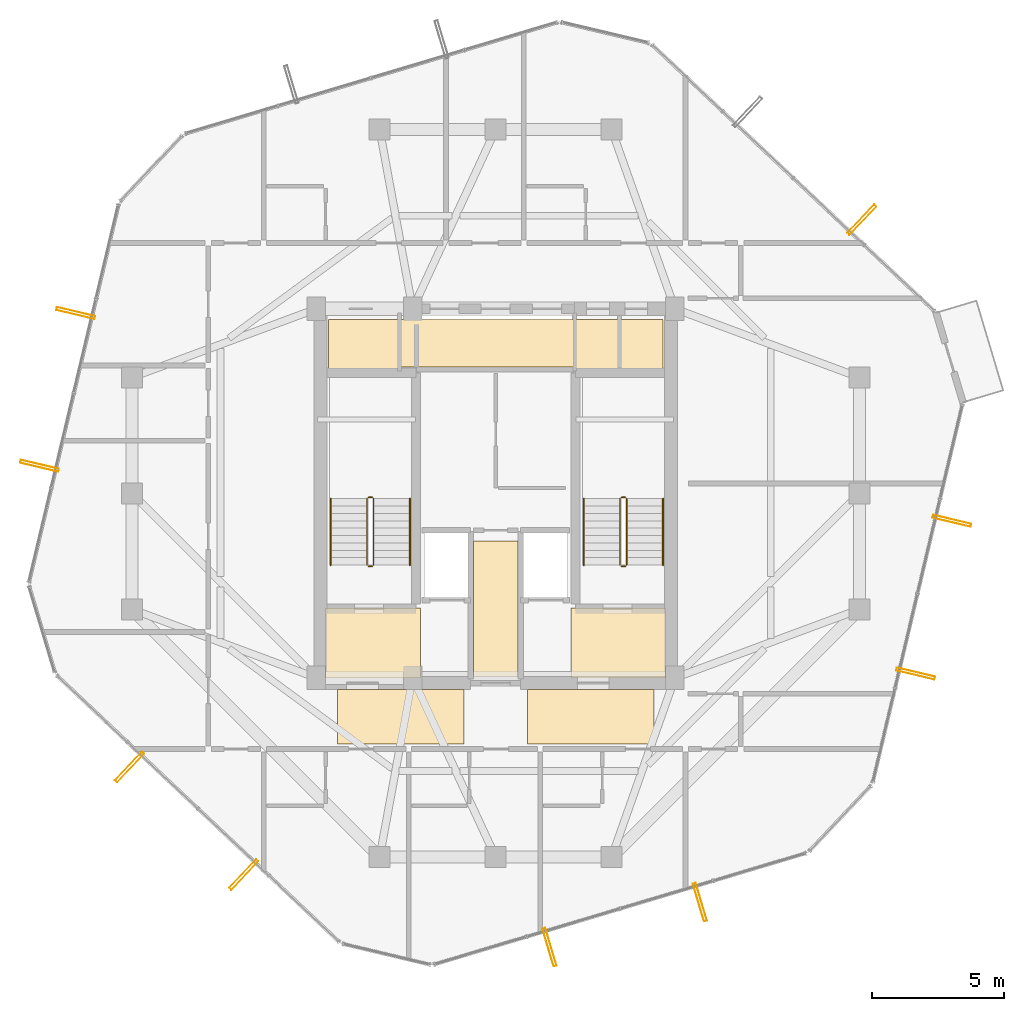
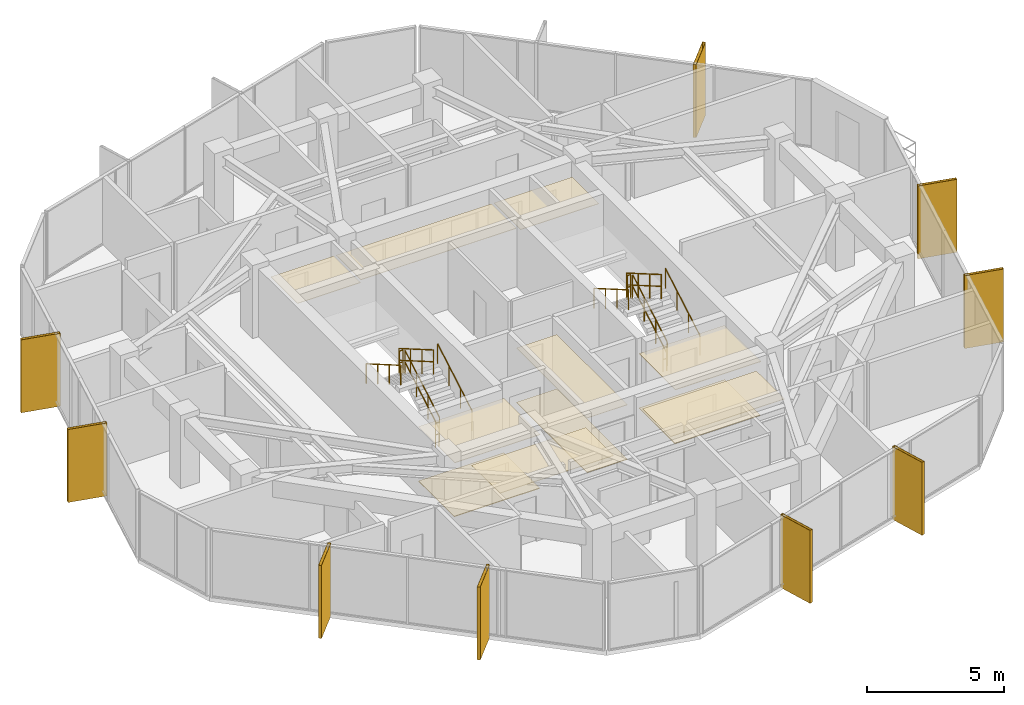
# One storey, part 27 of 28: 12 railings, 11 coverings, 9 shading devices.
"""IFC4 building model written with IfcOpenShell, lengths in metres."""

from ifc_helpers import new_model, si_unit, direction, frame, origin, origin_2d, place, context, subcontext, project, spatial, polyline, hollow_rectangle, circle, outline, extrude, material, layer, layer_set, material_profile, profile_set, type_object, element, save


model = new_model("IFC4")

# Units and contexts
model_context = context("Model", 3, precision=1e-05, world=origin(), true_north=direction((0.0, 1.0)))
body_context = subcontext(model_context, "Body", "Model", "MODEL_VIEW")
ifc_project = project(units=[si_unit("LENGTHUNIT", "METRE"), si_unit("AREAUNIT", "SQUARE_METRE"), si_unit("VOLUMEUNIT", "CUBIC_METRE"), si_unit("PLANEANGLEUNIT", "RADIAN"), si_unit("MASSUNIT", "GRAM", prefix="KILO")], contexts=[model_context])

# Site, building, storey
site_placement = place(None, origin())
site = spatial("IfcSite", under=ifc_project, at=site_placement, CompositionType="ELEMENT")
building_placement = place(site_placement, origin())
building = spatial("IfcBuilding", under=site, at=building_placement, Name="Veraguas Prism Commons", CompositionType="ELEMENT")
storey_placement = place(building_placement, frame((0.0, 0.0, 254.5)))
storey = spatial("IfcBuildingStorey", under=building, at=storey_placement, Name="L72", CompositionType="ELEMENT", Elevation=254.5)

# Shading devices
ifc_material_1 = material(Name="Anodised aluminium EN AW-6063 T6", Category="aluminium")
ifc_material_profile = material_profile(ifc_material_1, hollow_rectangle(XDim=0.1201171875, YDim=1.489990234375, WallThickness=0.006103515625, at=origin_2d()), Name="FIN120X1490X6")
ifc_profile_set = profile_set([ifc_material_profile], Name="Anodised aluminium EN AW-6063 T6")
shading_device_type = type_object("IfcShadingDeviceType", Name="Deep Pale-Metal Vertical Solar Fin 120x1490", PredefinedType="USERDEFINED", material=ifc_profile_set)
for number, where, z_axis, x_axis, name in (
    (1, (37.887451171875, 34.37841796875, -0.215087890625), (0.0, 0.0, 1.0), (-0.727291393074, 0.68632880572, 0.0), "Vertical Pale-Metal Solar Fin L72-F1A"),
    (2, (8.068359375, 30.837646484375, -0.215087890625), (0.0, 0.0, 1.0), (-0.2307341828, -0.97301682251, 0.0), "Vertical Pale-Metal Solar Fin L72-F3A"),
    (3, (6.6943359375, 25.043701171875, -0.215087890625), (0.0, 0.0, 1.0), (-0.2307341828, -0.97301682251, 0.0), "Vertical Pale-Metal Solar Fin L72-F3B"),
    (4, (10.112548828125, 13.62158203125, -0.215087890625), (0.0, 0.0, 1.0), (0.727291393074, -0.68632880572, 0.0), "Vertical Pale-Metal Solar Fin L72-F4A"),
    (5, (14.443115234375, 9.534912109375, -0.215087890625), (0.0, 0.0, 1.0), (0.727291393074, -0.68632880572, 0.0), "Vertical Pale-Metal Solar Fin L72-F4B"),
    (6, (26.044189453125, 6.783935546875, -0.215087890625), (0.0, 0.0, 1.0), (0.958022876902, 0.286691763629, 0.0), "Vertical Pale-Metal Solar Fin L72-F5A"),
    (7, (31.748779296875, 8.490966796875, -0.215087890625), (0.0, 0.0, 1.0), (0.958022876902, 0.286691763629, 0.0), "Vertical Pale-Metal Solar Fin L72-F5B"),
    (8, (39.931640625, 17.162353515625, -0.215087890625), (0.0, 0.0, 1.0), (0.2307341828, 0.97301682251, 0.0), "Vertical Pale-Metal Solar Fin L72-F6A"),
    (9, (41.3056640625, 22.956298828125, -0.215087890625), (0.0, 0.0, 1.0), (0.2307341828, 0.97301682251, 0.0), "Vertical Pale-Metal Solar Fin L72-F6B"),
):
    element("IfcShadingDevice", number, at=place(storey_placement, frame(where, z_axis=z_axis, x_axis=x_axis)), inside=storey, type_object=shading_device_type, Name=name, ObjectType="FIN", PredefinedType="USERDEFINED", context=body_context, shape_type="SweptSolid", body=[
        extrude(hollow_rectangle(XDim=0.1201171875, YDim=1.489990234375, WallThickness=0.006103515625, at=origin_2d()), origin(), (0.0, 0.0, 1.0), 3.25),
    ])

# Coverings
ifc_material_2 = material(Name="Acoustic gypsum board")
ifc_layer_1 = layer(ifc_material_2, 0.02490234375, Name="Perforated Acoustic Ceiling Tile 25")
ifc_layer_set_1 = layer_set([ifc_layer_1], Name="Acoustic gypsum board")
covering_type_1 = type_object("IfcCoveringType", Name="Perforated Acoustic Ceiling Tile 25", PredefinedType="USERDEFINED", material=ifc_layer_set_1)
covering_1_placement = place(storey_placement, frame((0.0, 0.0, 2.425048828125)))
element("IfcCovering", 10, at=covering_1_placement, inside=storey, type_object=covering_type_1, Name="East Lobby Acoustic Ceiling L72", ObjectType="ACOUSTIC CEILING", PredefinedType="USERDEFINED", context=body_context, shape_type="SweptSolid", body=[
    extrude(outline(polyline([(26.85009765625, 17.0), (30.449951171875, 17.0), (30.449951171875, 19.64990234375), (26.85009765625, 19.64990234375), (26.85009765625, 17.0)])), origin(), (0.0, 0.0, 1.0), 0.02490234375),
])
ifc_material_3 = material(Name="Terrazzo stone finish", Category="masonry")
ifc_layer_2 = layer(ifc_material_3, 0.030029296875, Name="Polished Terrazzo Floor Finish 30", Category="masonry")
ifc_layer_set_2 = layer_set([ifc_layer_2], Name="Terrazzo stone finish")
covering_type_2 = type_object("IfcCoveringType", Name="Polished Terrazzo Floor Finish 30", PredefinedType="FLOORING", material=ifc_layer_set_2)
covering_2_placement = place(storey_placement, origin())
element("IfcCovering", 11, at=covering_2_placement, inside=storey, type_object=covering_type_2, Name="Terrazzo Lobby Flooring L72", PredefinedType="FLOORING", context=body_context, shape_type="SweptSolid", body=[
    extrude(outline(polyline([(23.14990234375, 17.050048828125), (24.85009765625, 17.050048828125), (24.85009765625, 22.199951171875), (23.14990234375, 22.199951171875), (23.14990234375, 17.050048828125)])), origin(), (0.0, 0.0, 1.0), 0.030029296875),
])
covering_3_placement = place(storey_placement, origin())
element("IfcCovering", 12, at=covering_3_placement, inside=storey, type_object=covering_type_2, Name="West FF Lobby Terrazzo Flooring L72", PredefinedType="FLOORING", context=body_context, shape_type="SweptSolid", body=[
    extrude(outline(polyline([(17.550048828125, 17.050048828125), (21.14990234375, 17.050048828125), (21.14990234375, 19.64990234375), (17.550048828125, 19.64990234375), (17.550048828125, 17.050048828125)])), origin(), (0.0, 0.0, 1.0), 0.030029296875),
])
covering_4_placement = place(storey_placement, origin())
element("IfcCovering", 13, at=covering_4_placement, inside=storey, type_object=covering_type_2, Name="East FF Lobby Terrazzo Flooring L72", PredefinedType="FLOORING", context=body_context, shape_type="SweptSolid", body=[
    extrude(outline(polyline([(26.85009765625, 17.050048828125), (30.449951171875, 17.050048828125), (30.449951171875, 19.64990234375), (26.85009765625, 19.64990234375), (26.85009765625, 17.050048828125)])), origin(), (0.0, 0.0, 1.0), 0.030029296875),
])

# Railings
ifc_material_4 = material(Name="Stainless steel AISI 316", Category="steel")
railing_type_1 = type_object("IfcRailingType", Name="Stair and Ramp Stainless Handrail 900", PredefinedType="HANDRAIL", material=ifc_material_4)
railing_1_placement = place(storey_placement, frame((20.75, 21.280029296875, 0.16259765625)))
element("IfcRailing", 14, at=railing_1_placement, inside=storey, type_object=railing_type_1, Name="Stair Handrail ST-01 L72-1", PredefinedType="HANDRAIL", context=body_context, shape_type="SweptSolid", body=[
    extrude(circle(Radius=0.02392578125, at=origin_2d()), frame((0.0, 0.0, 0.8759765625), z_axis=(0.0, 0.864913338283, 0.50192122615), x_axis=(-1.0, 0.0, 0.0)), (0.0, 0.0, 1.0), 2.91357421875),
    extrude(circle(Radius=0.02099609375, at=origin_2d()), origin(), (0.0, 0.0, 1.0), 0.851806640625),
    extrude(circle(Radius=0.02099609375, at=origin_2d()), frame((0.0, 0.840087890625, 0.487548828125)), (0.0, 0.0, 1.0), 0.851806640625),
    extrude(circle(Radius=0.02099609375, at=origin_2d()), frame((0.0, 1.679931640625, 0.974853515625)), (0.0, 0.0, 1.0), 0.851806640625),
    extrude(circle(Radius=0.02099609375, at=origin_2d()), frame((0.0, 2.52001953125, 1.46240234375)), (0.0, 0.0, 1.0), 0.851806640625),
])
railing_2_placement = place(storey_placement, frame((17.739990234375, 23.800048828125, 1.78759765625)))
element("IfcRailing", 15, at=railing_2_placement, inside=storey, type_object=railing_type_1, Name="Stair Handrail ST-01 L72-2", PredefinedType="HANDRAIL", context=body_context, shape_type="SweptSolid", body=[
    extrude(circle(Radius=0.02392578125, at=origin_2d()), frame((0.0, 0.0, 0.8759765625), z_axis=(0.0, -0.864913338283, 0.50192122615), x_axis=(1.0, 0.0, 0.0)), (0.0, 0.0, 1.0), 2.91357421875),
    extrude(circle(Radius=0.02099609375, at=origin_2d()), origin(), (0.0, 0.0, 1.0), 0.851806640625),
    extrude(circle(Radius=0.02099609375, at=origin_2d()), frame((0.0, -0.840087890625, 0.487548828125)), (0.0, 0.0, 1.0), 0.851806640625),
    extrude(circle(Radius=0.02099609375, at=origin_2d()), frame((0.0, -1.679931640625, 0.974853515625)), (0.0, 0.0, 1.0), 0.851806640625),
    extrude(circle(Radius=0.02099609375, at=origin_2d()), frame((0.0, -2.52001953125, 1.46240234375)), (0.0, 0.0, 1.0), 0.851806640625),
])
railing_3_placement = place(storey_placement, frame((30.35009765625, 21.280029296875, 0.16259765625)))
element("IfcRailing", 16, at=railing_3_placement, inside=storey, type_object=railing_type_1, Name="Stair Handrail ST-02 L72-1", PredefinedType="HANDRAIL", context=body_context, shape_type="SweptSolid", body=[
    extrude(circle(Radius=0.02392578125, at=origin_2d()), frame((0.0, 0.0, 0.8759765625), z_axis=(0.0, 0.864913338283, 0.50192122615), x_axis=(-1.0, 0.0, 0.0)), (0.0, 0.0, 1.0), 2.91357421875),
    extrude(circle(Radius=0.02099609375, at=origin_2d()), origin(), (0.0, 0.0, 1.0), 0.851806640625),
    extrude(circle(Radius=0.02099609375, at=origin_2d()), frame((0.0, 0.840087890625, 0.487548828125)), (0.0, 0.0, 1.0), 0.851806640625),
    extrude(circle(Radius=0.02099609375, at=origin_2d()), frame((0.0, 1.679931640625, 0.974853515625)), (0.0, 0.0, 1.0), 0.851806640625),
    extrude(circle(Radius=0.02099609375, at=origin_2d()), frame((0.0, 2.52001953125, 1.46240234375)), (0.0, 0.0, 1.0), 0.851806640625),
])
railing_4_placement = place(storey_placement, frame((27.340087890625, 23.800048828125, 1.78759765625)))
element("IfcRailing", 17, at=railing_4_placement, inside=storey, type_object=railing_type_1, Name="Stair Handrail ST-02 L72-2", PredefinedType="HANDRAIL", context=body_context, shape_type="SweptSolid", body=[
    extrude(circle(Radius=0.02392578125, at=origin_2d()), frame((0.0, 0.0, 0.8759765625), z_axis=(0.0, -0.864913338283, 0.50192122615), x_axis=(1.0, 0.0, 0.0)), (0.0, 0.0, 1.0), 2.91357421875),
    extrude(circle(Radius=0.02099609375, at=origin_2d()), origin(), (0.0, 0.0, 1.0), 0.851806640625),
    extrude(circle(Radius=0.02099609375, at=origin_2d()), frame((0.0, -0.840087890625, 0.487548828125)), (0.0, 0.0, 1.0), 0.851806640625),
    extrude(circle(Radius=0.02099609375, at=origin_2d()), frame((0.0, -1.679931640625, 0.974853515625)), (0.0, 0.0, 1.0), 0.851806640625),
    extrude(circle(Radius=0.02099609375, at=origin_2d()), frame((0.0, -2.52001953125, 1.46240234375)), (0.0, 0.0, 1.0), 0.851806640625),
])
railing_type_2 = type_object("IfcRailingType", Name="Stairwell Safety Guardrail 1100", PredefinedType="GUARDRAIL", material=ifc_material_4)
railing_5_placement = place(storey_placement, frame((19.3701171875, 21.280029296875, 0.16259765625)))
element("IfcRailing", 18, at=railing_5_placement, inside=storey, type_object=railing_type_2, Name="Stair Guard ST-01 L72-1", PredefinedType="GUARDRAIL", context=body_context, shape_type="SweptSolid", body=[
    extrude(circle(Radius=0.02392578125, at=origin_2d()), frame((0.0, 0.0, 1.076171875), z_axis=(0.0, 0.864913338283, 0.50192122615), x_axis=(-1.0, 0.0, 0.0)), (0.0, 0.0, 1.0), 2.91357421875),
    extrude(circle(Radius=0.02392578125, at=origin_2d()), frame((0.0, 0.0, 0.550048828125), z_axis=(0.0, 0.864913338283, 0.50192122615), x_axis=(-1.0, 0.0, 0.0)), (0.0, 0.0, 1.0), 2.91357421875),
    extrude(circle(Radius=0.02099609375, at=origin_2d()), origin(), (0.0, 0.0, 1.0), 1.052001953125),
    extrude(circle(Radius=0.02099609375, at=origin_2d()), frame((0.0, 0.840087890625, 0.487548828125)), (0.0, 0.0, 1.0), 1.052001953125),
    extrude(circle(Radius=0.02099609375, at=origin_2d()), frame((0.0, 1.679931640625, 0.974853515625)), (0.0, 0.0, 1.0), 1.052001953125),
    extrude(circle(Radius=0.02099609375, at=origin_2d()), frame((0.0, 2.52001953125, 1.46240234375)), (0.0, 0.0, 1.0), 1.052001953125),
])
railing_6_placement = place(storey_placement, frame((19.320068359375, 23.85009765625, 1.625)))
element("IfcRailing", 19, at=railing_6_placement, inside=storey, type_object=railing_type_2, Name="Stair Guard ST-01 L72-2", PredefinedType="GUARDRAIL", context=body_context, shape_type="SweptSolid", body=[
    extrude(circle(Radius=0.02392578125, at=origin_2d()), frame((0.0, 0.0, 1.076171875), z_axis=(-1.0, 0.0, 0.0), x_axis=(0.0, -1.0, 0.0)), (0.0, 0.0, 1.0), 0.150146484375),
    extrude(circle(Radius=0.02392578125, at=origin_2d()), frame((0.0, 0.0, 0.550048828125), z_axis=(-1.0, 0.0, 0.0), x_axis=(0.0, -1.0, 0.0)), (0.0, 0.0, 1.0), 0.150146484375),
    extrude(circle(Radius=0.02099609375, at=origin_2d()), origin(), (0.0, 0.0, 1.0), 1.052001953125),
    extrude(circle(Radius=0.02099609375, at=origin_2d()), frame((-0.150146484375, 0.0, 0.0)), (0.0, 0.0, 1.0), 1.052001953125),
])
railing_7_placement = place(storey_placement, frame((19.1201171875, 23.800048828125, 1.78759765625)))
element("IfcRailing", 20, at=railing_7_placement, inside=storey, type_object=railing_type_2, Name="Stair Guard ST-01 L72-3", PredefinedType="GUARDRAIL", context=body_context, shape_type="SweptSolid", body=[
    extrude(circle(Radius=0.02392578125, at=origin_2d()), frame((0.0, 0.0, 1.076171875), z_axis=(0.0, -0.864913338283, 0.50192122615), x_axis=(1.0, 0.0, 0.0)), (0.0, 0.0, 1.0), 2.91357421875),
    extrude(circle(Radius=0.02392578125, at=origin_2d()), frame((0.0, 0.0, 0.550048828125), z_axis=(0.0, -0.864913338283, 0.50192122615), x_axis=(1.0, 0.0, 0.0)), (0.0, 0.0, 1.0), 2.91357421875),
    extrude(circle(Radius=0.02099609375, at=origin_2d()), origin(), (0.0, 0.0, 1.0), 1.052001953125),
    extrude(circle(Radius=0.02099609375, at=origin_2d()), frame((0.0, -0.840087890625, 0.487548828125)), (0.0, 0.0, 1.0), 1.052001953125),
    extrude(circle(Radius=0.02099609375, at=origin_2d()), frame((0.0, -1.679931640625, 0.974853515625)), (0.0, 0.0, 1.0), 1.052001953125),
    extrude(circle(Radius=0.02099609375, at=origin_2d()), frame((0.0, -2.52001953125, 1.46240234375)), (0.0, 0.0, 1.0), 1.052001953125),
])
railing_8_placement = place(storey_placement, frame((19.320068359375, 21.22998046875, 0.0)))
element("IfcRailing", 21, at=railing_8_placement, inside=storey, type_object=railing_type_2, Name="Stair Guard ST-01 L72-4", PredefinedType="GUARDRAIL", context=body_context, shape_type="SweptSolid", body=[
    extrude(circle(Radius=0.02392578125, at=origin_2d()), frame((0.0, 0.0, 1.076171875), z_axis=(-1.0, 0.0, 0.0), x_axis=(0.0, -1.0, 0.0)), (0.0, 0.0, 1.0), 0.150146484375),
    extrude(circle(Radius=0.02392578125, at=origin_2d()), frame((0.0, 0.0, 0.550048828125), z_axis=(-1.0, 0.0, 0.0), x_axis=(0.0, -1.0, 0.0)), (0.0, 0.0, 1.0), 0.150146484375),
    extrude(circle(Radius=0.02099609375, at=origin_2d()), origin(), (0.0, 0.0, 1.0), 1.052001953125),
    extrude(circle(Radius=0.02099609375, at=origin_2d()), frame((-0.150146484375, 0.0, 0.0)), (0.0, 0.0, 1.0), 1.052001953125),
])
railing_9_placement = place(storey_placement, frame((28.969970703125, 21.280029296875, 0.16259765625)))
element("IfcRailing", 22, at=railing_9_placement, inside=storey, type_object=railing_type_2, Name="Stair Guard ST-02 L72-1", PredefinedType="GUARDRAIL", context=body_context, shape_type="SweptSolid", body=[
    extrude(circle(Radius=0.02392578125, at=origin_2d()), frame((0.0, 0.0, 1.076171875), z_axis=(0.0, 0.864913338283, 0.50192122615), x_axis=(-1.0, 0.0, 0.0)), (0.0, 0.0, 1.0), 2.91357421875),
    extrude(circle(Radius=0.02392578125, at=origin_2d()), frame((0.0, 0.0, 0.550048828125), z_axis=(0.0, 0.864913338283, 0.50192122615), x_axis=(-1.0, 0.0, 0.0)), (0.0, 0.0, 1.0), 2.91357421875),
    extrude(circle(Radius=0.02099609375, at=origin_2d()), origin(), (0.0, 0.0, 1.0), 1.052001953125),
    extrude(circle(Radius=0.02099609375, at=origin_2d()), frame((0.0, 0.840087890625, 0.487548828125)), (0.0, 0.0, 1.0), 1.052001953125),
    extrude(circle(Radius=0.02099609375, at=origin_2d()), frame((0.0, 1.679931640625, 0.974853515625)), (0.0, 0.0, 1.0), 1.052001953125),
    extrude(circle(Radius=0.02099609375, at=origin_2d()), frame((0.0, 2.52001953125, 1.46240234375)), (0.0, 0.0, 1.0), 1.052001953125),
])
railing_10_placement = place(storey_placement, frame((28.919921875, 23.85009765625, 1.625)))
element("IfcRailing", 23, at=railing_10_placement, inside=storey, type_object=railing_type_2, Name="Stair Guard ST-02 L72-2", PredefinedType="GUARDRAIL", context=body_context, shape_type="SweptSolid", body=[
    extrude(circle(Radius=0.02392578125, at=origin_2d()), frame((0.0, 0.0, 1.076171875), z_axis=(-1.0, 0.0, 0.0), x_axis=(0.0, -1.0, 0.0)), (0.0, 0.0, 1.0), 0.14990234375),
    extrude(circle(Radius=0.02392578125, at=origin_2d()), frame((0.0, 0.0, 0.550048828125), z_axis=(-1.0, 0.0, 0.0), x_axis=(0.0, -1.0, 0.0)), (0.0, 0.0, 1.0), 0.14990234375),
    extrude(circle(Radius=0.02099609375, at=origin_2d()), origin(), (0.0, 0.0, 1.0), 1.052001953125),
    extrude(circle(Radius=0.02099609375, at=origin_2d()), frame((-0.14990234375, 0.0, 0.0)), (0.0, 0.0, 1.0), 1.052001953125),
])
railing_11_placement = place(storey_placement, frame((28.719970703125, 23.800048828125, 1.78759765625)))
element("IfcRailing", 24, at=railing_11_placement, inside=storey, type_object=railing_type_2, Name="Stair Guard ST-02 L72-3", PredefinedType="GUARDRAIL", context=body_context, shape_type="SweptSolid", body=[
    extrude(circle(Radius=0.02392578125, at=origin_2d()), frame((0.0, 0.0, 1.076171875), z_axis=(0.0, -0.864913338283, 0.50192122615), x_axis=(1.0, 0.0, 0.0)), (0.0, 0.0, 1.0), 2.91357421875),
    extrude(circle(Radius=0.02392578125, at=origin_2d()), frame((0.0, 0.0, 0.550048828125), z_axis=(0.0, -0.864913338283, 0.50192122615), x_axis=(1.0, 0.0, 0.0)), (0.0, 0.0, 1.0), 2.91357421875),
    extrude(circle(Radius=0.02099609375, at=origin_2d()), origin(), (0.0, 0.0, 1.0), 1.052001953125),
    extrude(circle(Radius=0.02099609375, at=origin_2d()), frame((0.0, -0.840087890625, 0.487548828125)), (0.0, 0.0, 1.0), 1.052001953125),
    extrude(circle(Radius=0.02099609375, at=origin_2d()), frame((0.0, -1.679931640625, 0.974853515625)), (0.0, 0.0, 1.0), 1.052001953125),
    extrude(circle(Radius=0.02099609375, at=origin_2d()), frame((0.0, -2.52001953125, 1.46240234375)), (0.0, 0.0, 1.0), 1.052001953125),
])
railing_12_placement = place(storey_placement, frame((28.919921875, 21.22998046875, 0.0)))
element("IfcRailing", 25, at=railing_12_placement, inside=storey, type_object=railing_type_2, Name="Stair Guard ST-02 L72-4", PredefinedType="GUARDRAIL", context=body_context, shape_type="SweptSolid", body=[
    extrude(circle(Radius=0.02392578125, at=origin_2d()), frame((0.0, 0.0, 1.076171875), z_axis=(-1.0, 0.0, 0.0), x_axis=(0.0, -1.0, 0.0)), (0.0, 0.0, 1.0), 0.14990234375),
    extrude(circle(Radius=0.02392578125, at=origin_2d()), frame((0.0, 0.0, 0.550048828125), z_axis=(-1.0, 0.0, 0.0), x_axis=(0.0, -1.0, 0.0)), (0.0, 0.0, 1.0), 0.14990234375),
    extrude(circle(Radius=0.02099609375, at=origin_2d()), origin(), (0.0, 0.0, 1.0), 1.052001953125),
    extrude(circle(Radius=0.02099609375, at=origin_2d()), frame((-0.14990234375, 0.0, 0.0)), (0.0, 0.0, 1.0), 1.052001953125),
])

# Coverings
ifc_layer_3 = layer(ifc_material_2, 0.02001953125, Name="Suspended Gypsum Ceiling 20")
ifc_layer_set_3 = layer_set([ifc_layer_3], Name="Acoustic gypsum board")
covering_type_3 = type_object("IfcCoveringType", Name="Suspended Gypsum Ceiling 20", PredefinedType="CEILING", material=ifc_layer_set_3)
covering_5_placement = place(storey_placement, frame((0.0, 0.0, 2.429931640625)))
element("IfcCovering", 26, at=covering_5_placement, inside=storey, type_object=covering_type_3, Name="West Lobby Suspended Gypsum Ceiling L72", PredefinedType="CEILING", context=body_context, shape_type="SweptSolid", body=[
    extrude(outline(polyline([(17.550048828125, 17.0), (21.14990234375, 17.0), (21.14990234375, 19.64990234375), (17.550048828125, 19.64990234375), (17.550048828125, 17.0)])), origin(), (0.0, 0.0, 1.0), 0.02001953125),
])
covering_6_placement = place(storey_placement, frame((0.0, 0.0, 2.429931640625)))
element("IfcCovering", 27, at=covering_6_placement, inside=storey, type_object=covering_type_3, Name="Core Lobby Acoustic Ceiling L72-1", PredefinedType="CEILING", context=body_context, shape_type="SweptSolid", body=[
    extrude(outline(polyline([(18.0, 14.5), (22.800048828125, 14.5), (22.800048828125, 16.550048828125), (18.0, 16.550048828125), (18.0, 14.5)])), origin(), (0.0, 0.0, 1.0), 0.02001953125),
])
covering_7_placement = place(storey_placement, frame((0.0, 0.0, 2.429931640625)))
element("IfcCovering", 28, at=covering_7_placement, inside=storey, type_object=covering_type_3, Name="Core Lobby Acoustic Ceiling L72-2", PredefinedType="CEILING", context=body_context, shape_type="SweptSolid", body=[
    extrude(outline(polyline([(25.199951171875, 14.5), (30.0, 14.5), (30.0, 16.550048828125), (25.199951171875, 16.550048828125), (25.199951171875, 14.5)])), origin(), (0.0, 0.0, 1.0), 0.02001953125),
])
covering_8_placement = place(storey_placement, frame((0.0, 0.0, 2.429931640625)))
element("IfcCovering", 29, at=covering_8_placement, inside=storey, type_object=covering_type_3, Name="Core Lobby Acoustic Ceiling L72-3", PredefinedType="CEILING", context=body_context, shape_type="SweptSolid", body=[
    extrude(outline(polyline([(23.14990234375, 17.050048828125), (24.85009765625, 17.050048828125), (24.85009765625, 22.199951171875), (23.14990234375, 22.199951171875), (23.14990234375, 17.050048828125)])), origin(), (0.0, 0.0, 1.0), 0.02001953125),
])
covering_9_placement = place(storey_placement, frame((0.0, 0.0, 2.429931640625)))
element("IfcCovering", 30, at=covering_9_placement, inside=storey, type_object=covering_type_3, Name="Core Lobby Acoustic Ceiling L72-4", PredefinedType="CEILING", context=body_context, shape_type="SweptSolid", body=[
    extrude(outline(polyline([(17.64990234375, 28.64990234375), (20.300048828125, 28.64990234375), (20.300048828125, 30.60009765625), (17.64990234375, 30.60009765625), (17.64990234375, 28.64990234375)])), origin(), (0.0, 0.0, 1.0), 0.02001953125),
])
covering_10_placement = place(storey_placement, frame((0.0, 0.0, 2.429931640625)))
element("IfcCovering", 31, at=covering_10_placement, inside=storey, type_object=covering_type_3, Name="Core Lobby Acoustic Ceiling L72-5", PredefinedType="CEILING", context=body_context, shape_type="SweptSolid", body=[
    extrude(outline(polyline([(27.050048828125, 28.64990234375), (30.35009765625, 28.64990234375), (30.35009765625, 30.60009765625), (27.050048828125, 30.60009765625), (27.050048828125, 28.64990234375)])), origin(), (0.0, 0.0, 1.0), 0.02001953125),
])
covering_11_placement = place(storey_placement, frame((0.0, 0.0, 2.429931640625)))
element("IfcCovering", 32, at=covering_11_placement, inside=storey, type_object=covering_type_3, Name="Core Lobby Acoustic Ceiling L72-6", PredefinedType="CEILING", context=body_context, shape_type="SweptSolid", body=[
    extrude(outline(polyline([(20.39990234375, 28.800048828125), (26.949951171875, 28.800048828125), (26.949951171875, 30.60009765625), (20.39990234375, 30.60009765625), (20.39990234375, 28.800048828125)])), origin(), (0.0, 0.0, 1.0), 0.02001953125),
])

save(model, "model.ifc")
